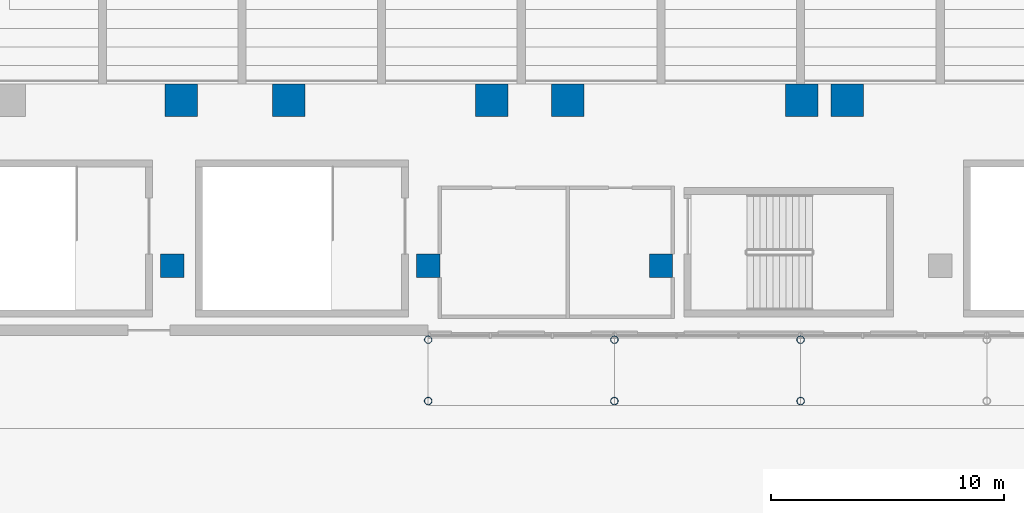
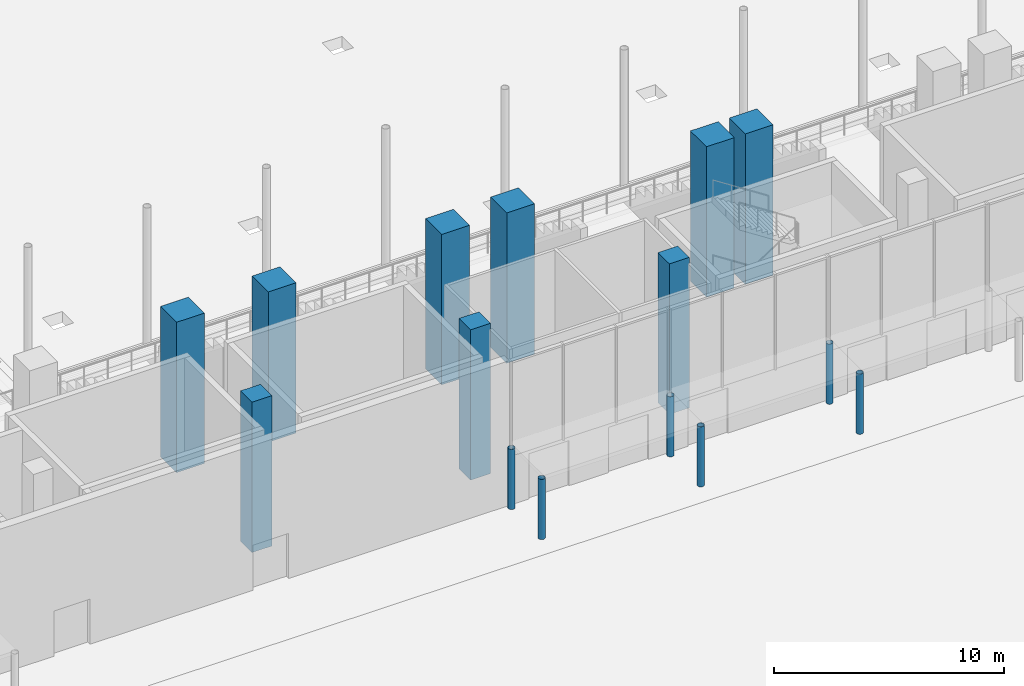
# One storey, part 3 of 41: 15 columns.
"""IFC4 building model written with IfcOpenShell, lengths in metres."""

from ifc_helpers import new_model, si_unit, direction, frame, origin, origin_2d, place, context, subcontext, project, spatial, rectangle, hollow_circle, extrude, material, material_profile, profile_set, type_object, element, save


model = new_model("IFC4")

# Units and contexts
model_context = context("Model", 3, precision=1e-05, world=origin(), true_north=direction((0.0, 1.0)))
body_context = subcontext(model_context, "Body", "Model", "MODEL_VIEW")
ifc_project = project(units=[si_unit("LENGTHUNIT", "METRE"), si_unit("AREAUNIT", "SQUARE_METRE"), si_unit("VOLUMEUNIT", "CUBIC_METRE"), si_unit("PLANEANGLEUNIT", "RADIAN"), si_unit("MASSUNIT", "GRAM", prefix="KILO")], contexts=[model_context])

# Site, building, storey
site_placement = place(None, origin())
site = spatial("IfcSite", under=ifc_project, at=site_placement, CompositionType="ELEMENT")
building_placement = place(site_placement, origin())
building = spatial("IfcBuilding", under=site, at=building_placement, Name="Wharfspan Tower", CompositionType="ELEMENT")
storey_placement = place(building_placement, origin())
storey = spatial("IfcBuildingStorey", under=building, at=storey_placement, Name="L00", CompositionType="ELEMENT", Elevation=0.0)

# Columns
ifc_material_1 = material(Name="Steel S355J2", Category="steel")
ifc_material_profile_1 = material_profile(ifc_material_1, hollow_circle(Radius=0.161865, WallThickness=0.01001, at=origin_2d()))
ifc_profile_set_1 = profile_set([ifc_material_profile_1], Name="Steel S355J2")
column_type_1 = type_object("IfcColumnType", Name="Canopy post CHS 323.9x10", PredefinedType="COLUMN", material=ifc_profile_set_1)
for number, where, z_axis, x_axis, name in (
    (1, (30.0, -34.818115, 0.0), (0.0, 0.0, 1.0), (1.0, 0.0, 0.0), "Canopy post"),
    (2, (38.0, -34.818115, 0.0), (0.0, 0.0, 1.0), (1.0, 0.0, 0.0), "Canopy post"),
    (3, (46.0, -34.818115, 0.0), (0.0, 0.0, 1.0), (1.0, 0.0, 0.0), "Canopy post"),
    (4, (30.0, -32.181885, 0.0), (0.0, 0.0, 1.0), (1.0, 0.0, 0.0), "Canopy post"),
    (5, (38.0, -32.181885, 0.0), (0.0, 0.0, 1.0), (1.0, 0.0, 0.0), "Canopy post"),
    (6, (46.0, -32.181885, 0.0), (0.0, 0.0, 1.0), (1.0, 0.0, 0.0), "Canopy post"),
):
    element("IfcColumn", number, at=place(storey_placement, frame(where, z_axis=z_axis, x_axis=x_axis)), inside=storey, type_object=column_type_1, Name=name, PredefinedType="COLUMN", context=body_context, shape_type="SweptSolid", body=[
        extrude(hollow_circle(Radius=0.161865, WallThickness=0.01001, at=origin_2d()), origin(), (0.0, 0.0, 1.0), 3.199951),
    ])
ifc_material_2 = material(Name="Concrete C60/75", Category="concrete")
ifc_material_profile_2 = material_profile(ifc_material_2, rectangle(XDim=1.0, YDim=1.0, at=origin_2d()))
ifc_profile_set_2 = profile_set([ifc_material_profile_2], Name="Concrete C60/75")
column_type_2 = type_object("IfcColumnType", Name="Concrete column 1000 square", PredefinedType="COLUMN", material=ifc_profile_set_2)
for number, where, z_axis, x_axis, name in (
    (7, (40.0, -29.0, 0.0), (0.0, 0.0, 1.0), (1.0, 0.0, 0.0), "Column D.23"),
    (8, (30.0, -29.0, 0.0), (0.0, 0.0, 1.0), (1.0, 0.0, 0.0), "Column D.29"),
    (9, (19.0, -29.0, 0.0), (0.0, 0.0, 1.0), (1.0, 0.0, 0.0), "Column D.32"),
):
    element("IfcColumn", number, at=place(storey_placement, frame(where, z_axis=z_axis, x_axis=x_axis)), inside=storey, type_object=column_type_2, Name=name, PredefinedType="COLUMN", context=body_context, shape_type="SweptSolid", body=[
        extrude(rectangle(XDim=1.0, YDim=1.0, at=origin_2d()), origin(), (0.0, 0.0, 1.0), 8.0),
    ])
ifc_material_profile_3 = material_profile(ifc_material_2, rectangle(XDim=1.399902, YDim=1.399902, at=origin_2d()))
ifc_profile_set_3 = profile_set([ifc_material_profile_3], Name="Concrete C60/75")
column_type_3 = type_object("IfcColumnType", Name="Concrete column 1400 square", PredefinedType="COLUMN", material=ifc_profile_set_3)
for number, where, z_axis, x_axis, name in (
    (10, (19.391113, -21.899902, 0.0), (0.0, 0.0, 1.0), (1.0, 0.0, 0.0), "Column RS.2"),
    (11, (24.0, -21.899902, 0.0), (0.0, 0.0, 1.0), (1.0, 0.0, 0.0), "Column RS.3"),
    (12, (32.724121, -21.899902, 0.0), (0.0, 0.0, 1.0), (1.0, 0.0, 0.0), "Column RS.4"),
    (13, (36.0, -21.899902, 0.0), (0.0, 0.0, 1.0), (1.0, 0.0, 0.0), "Column RS.5"),
    (14, (46.041992, -21.899902, 0.0), (0.0, 0.0, 1.0), (1.0, 0.0, 0.0), "Column RS.6"),
    (15, (48.0, -21.899902, 0.0), (0.0, 0.0, 1.0), (1.0, 0.0, 0.0), "Column RS.7"),
):
    element("IfcColumn", number, at=place(storey_placement, frame(where, z_axis=z_axis, x_axis=x_axis)), inside=storey, type_object=column_type_3, Name=name, PredefinedType="COLUMN", context=body_context, shape_type="SweptSolid", body=[
        extrude(rectangle(XDim=1.399902, YDim=1.399902, at=origin_2d()), origin(), (0.0, 0.0, 1.0), 8.0),
    ])

save(model, "model.ifc")
